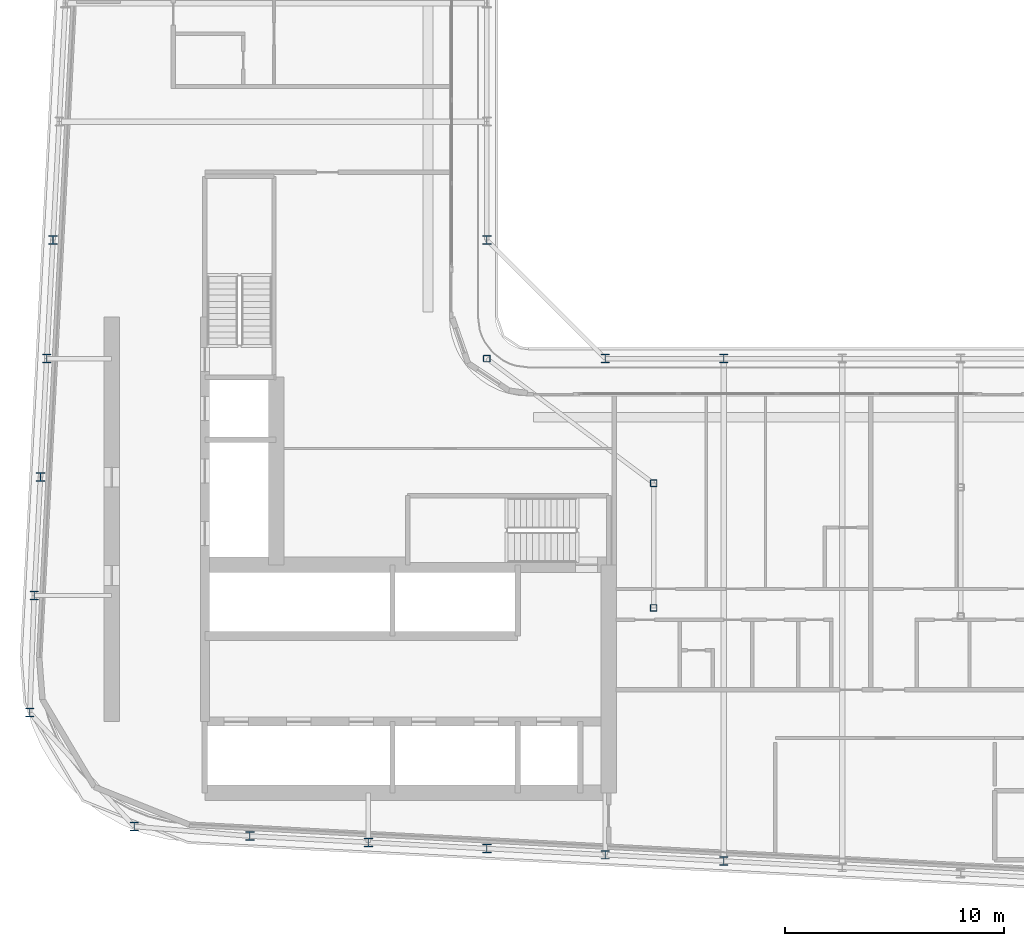
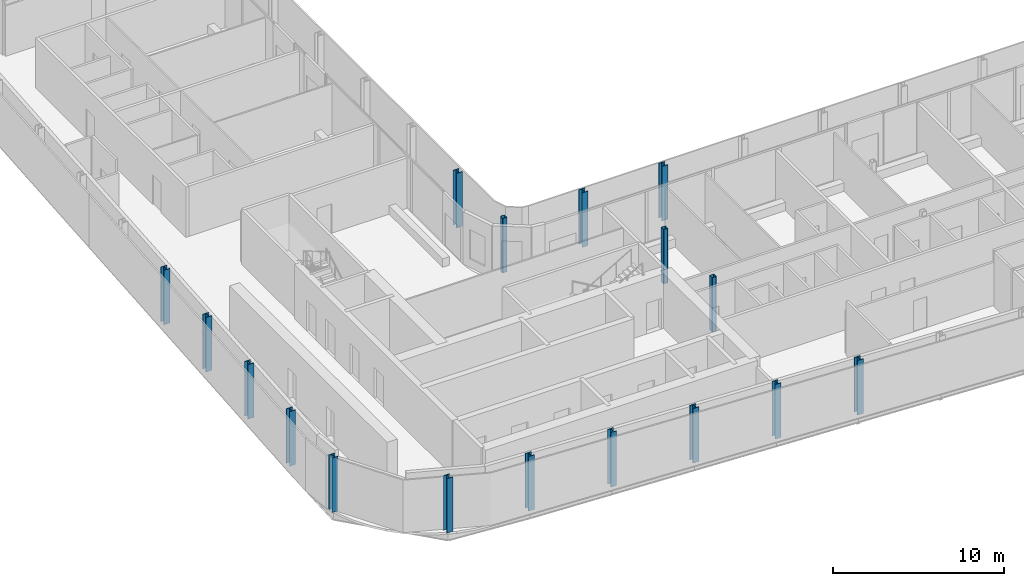
# One storey, part 1 of 22: 17 columns.
"""IFC4 building model written with IfcOpenShell, lengths in metres."""

import ifcopenshell
import ifcopenshell.guid

model = None  # the IFC model being written
_history = None  # IfcOwnerHistory: only IFC2X3 demands one
_inside = {}  # id of a spatial element -> (the spatial element, [elements in it])
_under = {}  # id of a project, library or spatial element -> (it, [spatial elements below it])
_declared = {}  # id of a project -> (the project, [libraries it declares])
_typed = {}  # id of a type object -> (the type object, [elements of that type])
_made_of = {}  # id of a material, layer set ... -> (it, [elements and type objects made of it])


def new_model(schema):
    """Start an empty IFC model of exactly this schema.

    Asked for "IFC4X3", IfcOpenShell would pick the latest addendum, in which some entities
    have other attributes; the version numbers below select the first issue.
    IFC2X3 requires an IfcOwnerHistory on every rooted entity: one is made here for all.
    """
    global model, _history
    if schema == "IFC4X3":
        model = ifcopenshell.file(schema_version=(4, 3, 0, 0))
    else:
        model = ifcopenshell.file(schema=schema)
    _inside.clear()
    _under.clear()
    _declared.clear()
    _typed.clear()
    _made_of.clear()
    _history = None
    if model.schema == "IFC2X3":
        org = make("IfcOrganization", Name="unknown")
        user = make(
            "IfcPersonAndOrganization",
            ThePerson=make("IfcPerson", FamilyName="unknown"),
            TheOrganization=org,
        )
        app = make(
            "IfcApplication",
            ApplicationDeveloper=org,
            Version="unknown",
            ApplicationFullName="unknown",
            ApplicationIdentifier="unknown",
        )
        _history = make(
            "IfcOwnerHistory",
            OwningUser=user,
            OwningApplication=app,
            ChangeAction="ADDED",
            CreationDate=0,
        )
    return model


def make(cls, **values):
    """One entity of the class cls with the attributes given. An attribute that is None is left unset."""
    return model.create_entity(
        cls, **{name: value for name, value in values.items() if value is not None}
    )


def rooted(cls, **values):
    """An entity with a GlobalId (a new one), such as an element, a storey or a relation."""
    return make(cls, GlobalId=ifcopenshell.guid.new(), OwnerHistory=_history, **values)


def si_unit(unit_type, name, prefix=None):
    """IfcSIUnit, for example si_unit("LENGTHUNIT", "METRE", prefix="MILLI")."""
    return make("IfcSIUnit", UnitType=unit_type, Prefix=prefix, Name=name)


def assignment(units):
    """IfcUnitAssignment: the units of a project."""
    return None if units is None else make("IfcUnitAssignment", Units=units)


def point(xyz):
    """IfcCartesianPoint."""
    return None if xyz is None else make("IfcCartesianPoint", Coordinates=xyz)


def direction(xyz):
    """IfcDirection."""
    return None if xyz is None else make("IfcDirection", DirectionRatios=xyz)


def frame(location, z_axis=None, x_axis=None):
    """IfcAxis2Placement3D, a coordinate frame: its origin and axes. An axis left out is left unset."""
    return make(
        "IfcAxis2Placement3D",
        Location=point(location),
        Axis=direction(z_axis),
        RefDirection=direction(x_axis),
    )


def frame_2d(location, x_axis=None):
    """IfcAxis2Placement2D, a coordinate frame in the plane: its origin and x axis."""
    return make(
        "IfcAxis2Placement2D", Location=point(location), RefDirection=direction(x_axis)
    )


def origin():
    """The frame at (0, 0, 0) with its axes left unset."""
    return frame((0.0, 0.0, 0.0))


def origin_2d():
    """The frame at (0, 0) in the plane with its x axis left unset."""
    return frame_2d((0.0, 0.0))


def place(relative_to, where):
    """IfcLocalPlacement: puts the frame where relative to a parent placement (None: the world)."""
    return make(
        "IfcLocalPlacement", PlacementRelTo=relative_to, RelativePlacement=where
    )


def context(
    kind, dimensions, precision=None, world=None, true_north=None, identifier=None
):
    """IfcGeometricRepresentationContext, for example the 3D "Model" context."""
    return make(
        "IfcGeometricRepresentationContext",
        ContextIdentifier=identifier,
        ContextType=kind,
        CoordinateSpaceDimension=dimensions,
        Precision=precision,
        WorldCoordinateSystem=world,
        TrueNorth=true_north,
    )


def subcontext(parent, identifier, kind, view, scale=None):
    """IfcGeometricRepresentationSubContext, for example "Body" below "Model"."""
    return make(
        "IfcGeometricRepresentationSubContext",
        ContextIdentifier=identifier,
        ContextType=kind,
        ParentContext=parent,
        TargetScale=scale,
        TargetView=view,
    )


def project(units=None, contexts=None):
    """IfcProject with its units and contexts."""
    return rooted(
        "IfcProject",
        Name="project",
        RepresentationContexts=contexts,
        UnitsInContext=assignment(units),
    )


def spatial(cls, under=None, at=None, **own):
    """A site, building, storey or space (cls), placed at a placement, below another one or the project."""
    s = rooted(cls, ObjectPlacement=at, **own)
    if under is not None:
        _under.setdefault(under.id(), (under, []))[1].append(s)
    return s


def profile(cls, at=None, kind="AREA", **sizes):
    """A parametric profile (cls). Its sizes go by their IFC names, for example OverallWidth=200.0."""
    return make(cls, ProfileType=kind, Position=at, **sizes)


def hollow_rectangle(**sizes):
    """IfcRectangleHollowProfileDef."""
    return profile("IfcRectangleHollowProfileDef", **sizes)


def i_section(**sizes):
    """IfcIShapeProfileDef."""
    return profile("IfcIShapeProfileDef", **sizes)


def extrude(swept, where, along, depth):
    """IfcExtrudedAreaSolid: the profile swept, set in the frame where, extruded along a direction by depth."""
    return make(
        "IfcExtrudedAreaSolid",
        SweptArea=swept,
        Position=where,
        ExtrudedDirection=direction(along),
        Depth=depth,
    )


def shape(context_of_items, identifier, shape_type, items):
    """IfcShapeRepresentation: the items that make up one representation, for example the "Body"."""
    return make(
        "IfcShapeRepresentation",
        ContextOfItems=context_of_items,
        RepresentationIdentifier=identifier,
        RepresentationType=shape_type,
        Items=items,
    )


def material(Name=None, Category=None):
    """IfcMaterial."""
    return make("IfcMaterial", Name=Name, Category=Category)


def material_profile(
    of_material, cross_section, Name=None, Category=None, Priority=None
):
    """IfcMaterialProfile: a cross section and its material."""
    return make(
        "IfcMaterialProfile",
        Name=Name,
        Material=of_material,
        Profile=cross_section,
        Priority=Priority,
        Category=Category,
    )


def profile_set(profiles, Name=None, composite=None):
    """IfcMaterialProfileSet."""
    return make(
        "IfcMaterialProfileSet",
        Name=Name,
        MaterialProfiles=profiles,
        CompositeProfile=composite,
    )


def made_of(thing, what):
    """Note that an element or type object is made of a material, layer set ...; save() writes the relation."""
    if what is not None:
        _made_of.setdefault(what.id(), (what, []))[1].append(thing)
    return thing


def type_object(cls, material=None, **own):
    """A type object (cls), such as IfcWallType, which elements share."""
    return made_of(rooted(cls, **own), material)


def element(
    cls,
    number,
    at=None,
    inside=None,
    cuts=None,
    type_object=None,
    material=None,
    context=None,
    identifier="Body",
    shape_type=None,
    held_by="IfcProductDefinitionShape",
    body=None,
    shapes=None,
    **own,
):
    """One element of the class cls, such as IfcWall. Its Tag is "e" and its number.

    at: its placement. inside: the storey or other place that contains it. cuts: it is an
    opening in that element (IfcRelVoidsElement). A single representation is given by context,
    identifier, shape_type and body (its items); several are given by shapes. held_by: the class
    of the entity that holds the representations. save() writes the other relations.
    """
    e = rooted(cls, Tag="e%d" % number, ObjectPlacement=at, **own)
    if body is not None:
        shapes = [shape(context, identifier, shape_type, body)]
    if shapes is not None:
        e.Representation = make(held_by, Representations=shapes)
    if inside is not None:
        _inside.setdefault(inside.id(), (inside, []))[1].append(e)
    if cuts is not None:
        rooted(
            "IfcRelVoidsElement", RelatingBuildingElement=cuts, RelatedOpeningElement=e
        )
    if type_object is not None:
        _typed.setdefault(type_object.id(), (type_object, []))[1].append(e)
    return made_of(e, material)


def aggregate(whole, parts):
    """IfcRelAggregates: a whole, such as a stair, and the parts it consists of."""
    return rooted("IfcRelAggregates", RelatingObject=whole, RelatedObjects=parts)


def save(model, path):
    """Write the relations noted so far, then the file.

    IfcRelAggregates (storeys below a building ...), IfcRelContainedInSpatialStructure (elements
    in a storey), IfcRelDefinesByType, IfcRelAssociatesMaterial and IfcRelDeclares: one each for
    every whole, place, type object, material and project.
    """
    for whole, parts in _under.values():
        aggregate(whole, parts)
    for where, things in _inside.values():
        rooted(
            "IfcRelContainedInSpatialStructure",
            RelatedElements=things,
            RelatingStructure=where,
        )
    for kind, things in _typed.values():
        rooted("IfcRelDefinesByType", RelatedObjects=things, RelatingType=kind)
    for what, things in _made_of.values():
        rooted("IfcRelAssociatesMaterial", RelatedObjects=things, RelatingMaterial=what)
    for by, libraries in _declared.values():
        rooted("IfcRelDeclares", RelatingContext=by, RelatedDefinitions=libraries)
    model.write(path)


model = new_model("IFC4")

# Units and contexts
model_context = context("Model", 3, precision=1e-05, world=origin(), true_north=direction((0.0, 1.0)))
body_context = subcontext(model_context, "Body", "Model", "MODEL_VIEW")
ifc_project = project(units=[si_unit("LENGTHUNIT", "METRE"), si_unit("AREAUNIT", "SQUARE_METRE"), si_unit("VOLUMEUNIT", "CUBIC_METRE"), si_unit("PLANEANGLEUNIT", "RADIAN"), si_unit("MASSUNIT", "GRAM", prefix="KILO")], contexts=[model_context])

# Site, building, storey
site_placement = place(None, origin())
site = spatial("IfcSite", under=ifc_project, at=site_placement, CompositionType="ELEMENT")
building_placement = place(site_placement, origin())
building = spatial("IfcBuilding", under=site, at=building_placement, Name="Kheshtan School and Residences Tower", CompositionType="ELEMENT")
storey_placement = place(building_placement, frame((0.0, 0.0, 216.199951171875)))
storey = spatial("IfcBuildingStorey", under=building, at=storey_placement, Name="L50", CompositionType="ELEMENT", Elevation=216.199951171875)

# Columns
ifc_material_1 = material(Name="Steel ASTM A992 Grade 50", Category="steel")
ifc_material_profile_1 = material_profile(ifc_material_1, i_section(OverallWidth=0.404052734375, OverallDepth=0.406982421875, WebThickness=0.027099609375, FlangeThickness=0.043701171875, FilletRadius=0.01220703125, at=origin_2d()), Name="W360x347")
ifc_profile_set_1 = profile_set([ifc_material_profile_1], Name="Steel ASTM A992 Grade 50")
column_type_1 = type_object("IfcColumnType", Name="Column C4 W360x347 ASTM A992 Grade 50", PredefinedType="COLUMN", material=ifc_profile_set_1)
for number, where, z_axis, x_axis, name in (
    (1, (58.39990234375, 22.695068359375, 0.0), (0.0, 0.0, 1.0), (1.0, 0.0, 0.0), "Column C018"),
    (2, (53.0, 22.97998046875, 0.0), (0.0, 0.0, 1.0), (1.0, 0.0, 0.0), "Column C019"),
    (3, (47.60009765625, 23.263916015625, 0.0), (0.0, 0.0, 1.0), (1.0, 0.0, 0.0), "Column C020"),
    (4, (42.199951171875, 23.548095703125, 0.0), (0.0, 0.0, 1.0), (1.0, 0.0, 0.0), "Column C021"),
    (5, (36.800048828125, 23.83203125, 0.0), (0.0, 0.0, 1.0), (1.0, 0.0, 0.0), "Column C022"),
    (6, (31.52587890625, 24.27099609375, 0.0), (0.0, 0.0, 1.0), (1.0, 0.0, 0.0), "Column C027"),
    (7, (26.764892578125, 29.4599609375, 0.0), (0.0, 0.0, 1.0), (1.0, 0.0, 0.0), "Column C040"),
    (8, (26.968994140625, 34.800048828125, 0.0), (0.0, 0.0, 1.0), (1.0, 0.0, 0.0), "Column C052"),
    (9, (27.2529296875, 40.199951171875, 0.0), (0.0, 0.0, 1.0), (1.0, 0.0, 0.0), "Column C056"),
    (10, (27.537109375, 45.60009765625, 0.0), (0.0, 0.0, 1.0), (1.0, 0.0, 0.0), "Column C059"),
    (11, (53.0, 45.60009765625, 0.0), (0.0, 0.0, 1.0), (1.0, 0.0, 0.0), "Column C061"),
    (12, (58.39990234375, 45.60009765625, 0.0), (0.0, 0.0, 1.0), (1.0, 0.0, 0.0), "Column C062"),
    (13, (27.822021484375, 51.0, 0.0), (0.0, 0.0, 1.0), (1.0, 0.0, 0.0), "Column C078"),
    (14, (47.60009765625, 51.0, 0.0), (0.0, 0.0, 1.0), (1.0, 0.0, 0.0), "Column C079"),
):
    element("IfcColumn", number, at=place(storey_placement, frame(where, z_axis=z_axis, x_axis=x_axis)), inside=storey, type_object=column_type_1, Name=name, PredefinedType="COLUMN", context=body_context, shape_type="SweptSolid", body=[
        extrude(i_section(OverallWidth=0.404052734375, OverallDepth=0.406982421875, WebThickness=0.027099609375, FlangeThickness=0.043701171875, FilletRadius=0.01220703125, at=origin_2d()), origin(), (0.0, 0.0, 1.0), 3.900146484375),
    ])
ifc_material_2 = material(Name="Steel ASTM A500 Grade C", Category="steel")
ifc_material_profile_2 = material_profile(ifc_material_2, hollow_rectangle(XDim=0.304931640625, YDim=0.304931640625, WallThickness=0.015869140625, InnerFilletRadius=0.015869140625, OuterFilletRadius=0.03173828125, at=origin_2d()), Name="HSS 305x305x15.9")
ifc_profile_set_2 = profile_set([ifc_material_profile_2], Name="Steel ASTM A500 Grade C")
column_type_2 = type_object("IfcColumnType", Name="Column IC2 HSS 305x305x15.9 ASTM A500 Grade C", PredefinedType="COLUMN", material=ifc_profile_set_2)
for number, where, z_axis, x_axis, name in (
    (15, (55.199951171875, 34.23193359375, 0.0), (0.0, 0.0, 1.0), (1.0, 0.0, 0.0), "Column C051"),
    (16, (55.199951171875, 39.916015625, 0.0), (0.0, 0.0, 1.0), (1.0, 0.0, 0.0), "Column C055"),
    (17, (47.60009765625, 45.60009765625, 0.0), (0.0, 0.0, 1.0), (1.0, 0.0, 0.0), "Column C060"),
):
    element("IfcColumn", number, at=place(storey_placement, frame(where, z_axis=z_axis, x_axis=x_axis)), inside=storey, type_object=column_type_2, Name=name, PredefinedType="COLUMN", context=body_context, shape_type="SweptSolid", body=[
        extrude(hollow_rectangle(XDim=0.304931640625, YDim=0.304931640625, WallThickness=0.015869140625, InnerFilletRadius=0.015869140625, OuterFilletRadius=0.03173828125, at=origin_2d()), origin(), (0.0, 0.0, 1.0), 3.900146484375),
    ])

save(model, "model.ifc")
